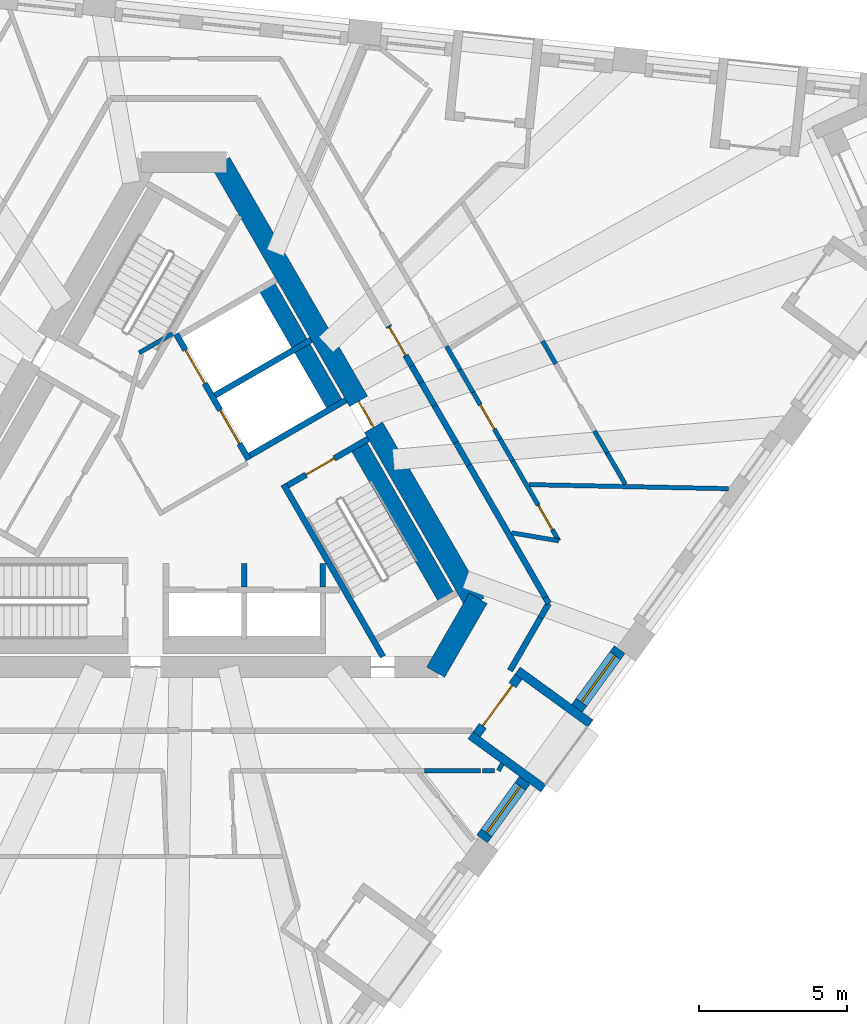
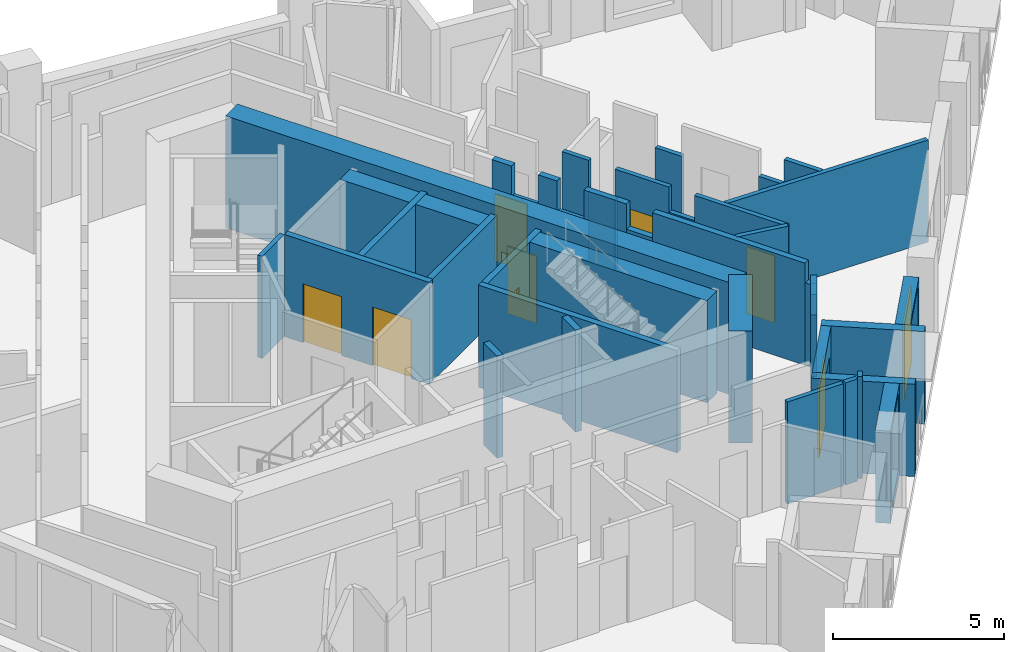
# One storey, part 5 of 11: 39 walls, 8 doors, 2 windows, 10 openings.
"""IFC4 building model written with IfcOpenShell, lengths in metres."""

from ifc_helpers import new_model, si_unit, direction, frame, frame_2d, origin, place, context, subcontext, project, spatial, polyline, rectangle, outline, extrude, material, layer, layer_set, type_object, element, fill, save


model = new_model("IFC4")

# Units and contexts
model_context = context("Model", 3, precision=1e-05, world=origin(), true_north=direction((0.0, 1.0)))
body_context = subcontext(model_context, "Body", "Model", "MODEL_VIEW")
ifc_project = project(units=[si_unit("LENGTHUNIT", "METRE"), si_unit("AREAUNIT", "SQUARE_METRE"), si_unit("VOLUMEUNIT", "CUBIC_METRE"), si_unit("PLANEANGLEUNIT", "RADIAN"), si_unit("MASSUNIT", "GRAM", prefix="KILO")], contexts=[model_context])

# Site, building, storey
site_placement = place(None, origin())
site = spatial("IfcSite", under=ifc_project, at=site_placement, CompositionType="ELEMENT")
building_placement = place(site_placement, origin())
building = spatial("IfcBuilding", under=site, at=building_placement, Name="Tramontana Tower", CompositionType="ELEMENT")
storey_placement = place(building_placement, frame((0.0, 0.0, 261.199951171875)))
storey = spatial("IfcBuildingStorey", under=building, at=storey_placement, Name="L61", CompositionType="ELEMENT", Elevation=261.199951171875)

# Wall
ifc_material_1 = material(Name="Concrete 70 MPa", Category="concrete")
ifc_layer_1 = layer(ifc_material_1, 0.699951171875)
ifc_layer_set_1 = layer_set([ifc_layer_1], Name="Core wall 700 70 MPa")
wall_type_1 = type_object("IfcWallType", Name="Core wall 700 70 MPa", PredefinedType="SHEAR", material=ifc_layer_set_1)
wall_1_placement = place(storey_placement, frame((8.50146484375, -6.574951171875, 0.0), z_axis=(0.0, 0.0, 1.0), x_axis=(0.499995765644, 0.866027848477, 0.0)))
element("IfcWall", 1, at=wall_1_placement, inside=storey, type_object=wall_type_1, Name="Core wall C4 L61", PredefinedType="SHEAR", context=body_context, shape_type="SweptSolid", body=[
    extrude(rectangle(XDim=2.88671875, YDim=0.699951171875, at=frame_2d((1.443359375, 0.0))), origin(), (0.0, 0.0, 1.0), 4.0),
])

# Wall, opening, door
wall_2_placement = place(storey_placement, frame((9.84375, -4.25, 0.0), z_axis=(0.0, 0.0, 1.0), x_axis=(-0.500003331888, 0.866023480109, 0.0)))
wall_2 = element("IfcWall", 2, at=wall_2_placement, inside=storey, type_object=wall_type_1, Name="Core wall C5 L61", PredefinedType="SHEAR", context=body_context, shape_type="SweptSolid", body=[
    extrude(rectangle(XDim=17.205078125, YDim=0.699951171875, at=frame_2d((8.6025390625, 0.0))), origin(), (0.0, 0.0, 1.0), 4.0),
])
opening_1_placement = place(wall_2_placement, frame((6.87744140625, 0.0, 0.0)))
opening_1 = element("IfcOpeningElement", 3, at=opening_1_placement, cuts=wall_2, Name="Opening RG3", PredefinedType="OPENING", context=body_context, shape_type="SweptSolid", body=[
    extrude(rectangle(XDim=1.0, YDim=2.39990234375, at=frame_2d((0.5, 1.199951171875))), frame((0.0, 0.35986328125, 0.0), z_axis=(0.0, -1.0, 0.0), x_axis=(1.0, 0.0, 0.0)), (0.0, 0.0, 1.0), 0.719970703125),
])
ifc_material_2 = material(Name="Painted steel", Category="steel")
door_type_1 = type_object("IfcDoorType", Name="RING DOOR 1000", OperationType="SINGLE_SWING_LEFT", PredefinedType="DOOR", material=ifc_material_2)
door_1_placement = place(opening_1_placement, origin())
door_1 = element("IfcDoor", 4, at=door_1_placement, inside=storey, type_object=door_type_1, Name="Door RG3", OperationType="SINGLE_SWING_RIGHT", OverallHeight=2.39990234375, OverallWidth=1.0, PredefinedType="DOOR", context=body_context, shape_type="SweptSolid", body=[
    extrude(rectangle(XDim=1.0, YDim=2.39990234375, at=frame_2d((0.5, 1.199951171875))), frame((0.0, 0.02490234375, 0.0), z_axis=(0.0, -1.0, 0.0), x_axis=(1.0, 0.0, 0.0)), (0.0, 0.0, 1.0), 0.050048828125),
])
fill(opening_1, door_1)

# Walls
ifc_material_3 = material(Name="Blockwork", Category="masonry")
ifc_layer_2 = layer(ifc_material_3, 0.199951171875)
ifc_layer_set_2 = layer_set([ifc_layer_2], Name="ENTRY WALL 200")
wall_type_2 = type_object("IfcWallType", Name="ENTRY WALL 200", PredefinedType="SOLIDWALL", material=ifc_layer_set_2)
wall_3_placement = place(storey_placement, frame((12.326416015625, -4.25, 0.0), z_axis=(0.0, 0.0, 1.0), x_axis=(-0.500000383388, -0.866025182435, 0.0)))
element("IfcWall", 5, at=wall_3_placement, inside=storey, type_object=wall_type_2, Name="Wall v62-ew0-0", PredefinedType="SOLIDWALL", context=body_context, shape_type="SweptSolid", body=[
    extrude(rectangle(XDim=0.5576171875, YDim=0.199951171875, at=frame_2d((0.27880859375, 0.0))), origin(), (0.0, 0.0, 1.0), 2.949951171875),
])
wall_4_placement = place(storey_placement, frame((12.047607421875, -4.73291015625, 0.0), z_axis=(0.0, 0.0, 1.0), x_axis=(-0.499958106649, -0.866049589571, 0.0)))
element("IfcWall", 6, at=wall_4_placement, inside=storey, type_object=wall_type_2, Name="Wall v62-ew0-1", PredefinedType="SOLIDWALL", context=body_context, shape_type="SweptSolid", body=[
    extrude(rectangle(XDim=2.062744140625, YDim=0.199951171875, at=frame_2d((1.03125, 0.0))), origin(), (0.0, 0.0, 1.0), 3.650146484375),
])

# Wall, opening, door
wall_5_placement = place(storey_placement, frame((6.914306640625, 5.124267578125, 0.0), z_axis=(0.0, 0.0, 1.0), x_axis=(0.499861922145, -0.866105108396, 0.0)))
wall_5 = element("IfcWall", 7, at=wall_5_placement, inside=storey, type_object=wall_type_2, Name="Wall v62-ew5-5", PredefinedType="SOLIDWALL", context=body_context, shape_type="SweptSolid", body=[
    extrude(outline(polyline([(0.0, 0.0), (1.56591796875, 0.0), (1.56591796875, 2.550048828125), (0.665771484375, 2.550048828125), (0.665771484375, 3.650146484375), (0.0, 3.650146484375), (0.0, 0.0)])), frame((0.0, 0.10009765625, 0.0), z_axis=(0.0, -1.0, 0.0), x_axis=(1.0, 0.0, 0.0)), (0.0, 0.0, 1.0), 0.199951171875),
])
opening_2_placement = place(wall_5_placement, frame((0.050048828125, 0.0, 0.0)))
opening_2 = element("IfcOpeningElement", 8, at=opening_2_placement, cuts=wall_5, Name="Opening B6C-20", PredefinedType="OPENING", context=body_context, shape_type="SweptSolid", body=[
    extrude(rectangle(XDim=1.10009765625, YDim=2.39990234375, at=frame_2d((0.550048828125, 1.199951171875))), frame((0.0, 0.10986328125, 0.0), z_axis=(0.0, -1.0, 0.0), x_axis=(1.0, 0.0, 0.0)), (0.0, 0.0, 1.0), 0.219970703125),
])
ifc_material_4 = material(Name="Painted timber", Category="wood")
door_type_2 = type_object("IfcDoorType", Name="DOOR ENTRY 1100", OperationType="SINGLE_SWING_LEFT", PredefinedType="DOOR", material=ifc_material_4)
door_2_placement = place(opening_2_placement, origin())
door_2 = element("IfcDoor", 9, at=door_2_placement, inside=storey, type_object=door_type_2, Name="Door B6C-20", OperationType="SINGLE_SWING_RIGHT", OverallHeight=2.39990234375, OverallWidth=1.10009765625, PredefinedType="DOOR", context=body_context, shape_type="SweptSolid", body=[
    extrude(rectangle(XDim=1.10009765625, YDim=2.39990234375, at=frame_2d((0.550048828125, 1.199951171875))), frame((0.0, 0.02490234375, 0.0), z_axis=(0.0, -1.0, 0.0), x_axis=(1.0, 0.0, 0.0)), (0.0, 0.0, 1.0), 0.050048828125),
])
fill(opening_2, door_2)

# Walls
wall_6_placement = place(storey_placement, frame((7.697021484375, 3.76806640625, 0.0), z_axis=(0.0, 0.0, 1.0), x_axis=(0.50012328804, -0.865954211699, 0.0)))
element("IfcWall", 10, at=wall_6_placement, inside=storey, type_object=wall_type_2, Name="Wall v62-ew5-6", PredefinedType="SOLIDWALL", context=body_context, shape_type="SweptSolid", body=[
    extrude(rectangle(XDim=0.632568359375, YDim=0.199951171875, at=frame_2d((0.31640625, 0.0))), origin(), (0.0, 0.0, 1.0), 3.650146484375),
])
wall_7_placement = place(storey_placement, frame((8.013427734375, 3.22021484375, 0.0), z_axis=(0.0, 0.0, 1.0), x_axis=(0.500175591747, -0.865924002104, 0.0)))
element("IfcWall", 11, at=wall_7_placement, inside=storey, type_object=wall_type_2, Name="Wall v62-ew5-7", PredefinedType="SOLIDWALL", context=body_context, shape_type="SweptSolid", body=[
    extrude(rectangle(XDim=0.917236328125, YDim=0.199951171875, at=frame_2d((0.45849609375, 0.0))), origin(), (0.0, 0.0, 1.0), 2.550048828125),
])
wall_8_placement = place(storey_placement, frame((8.47216796875, 2.426025390625, 0.0), z_axis=(0.0, 0.0, 1.0), x_axis=(0.499904796234, -0.866080362727, 0.0)))
element("IfcWall", 12, at=wall_8_placement, inside=storey, type_object=wall_type_2, Name="Wall v62-ew5-8", PredefinedType="SOLIDWALL", context=body_context, shape_type="SweptSolid", body=[
    extrude(rectangle(XDim=1.429443359375, YDim=0.199951171875, at=frame_2d((0.71484375, 0.0))), origin(), (0.0, 0.0, 1.0), 3.650146484375),
])
wall_9_placement = place(storey_placement, frame((9.186767578125, 1.18798828125, 0.0), z_axis=(0.0, 0.0, 1.0), x_axis=(0.500121072013, -0.86595549154, 0.0)))
element("IfcWall", 13, at=wall_9_placement, inside=storey, type_object=wall_type_2, Name="Wall v62-ew5-9", PredefinedType="SOLIDWALL", context=body_context, shape_type="SweptSolid", body=[
    extrude(rectangle(XDim=0.883544921875, YDim=0.199951171875, at=frame_2d((0.44189453125, 0.0))), origin(), (0.0, 0.0, 1.0), 2.75),
])
wall_10_placement = place(storey_placement, frame((9.628662109375, 0.4228515625, 0.0), z_axis=(0.0, 0.0, 1.0), x_axis=(0.499995433041, -0.866028040503, 0.0)))
element("IfcWall", 14, at=wall_10_placement, inside=storey, type_object=wall_type_2, Name="Wall v62-ew5-10", PredefinedType="SOLIDWALL", context=body_context, shape_type="SweptSolid", body=[
    extrude(rectangle(XDim=5.1611328125, YDim=0.199951171875, at=frame_2d((2.58056640625, 0.0))), origin(), (0.0, 0.0, 1.0), 3.650146484375),
])
wall_11_placement = place(storey_placement, frame((12.209228515625, -4.046875, 0.0), z_axis=(0.0, 0.0, 1.0), x_axis=(0.49972245349, -0.866185586049, 0.0)))
element("IfcWall", 15, at=wall_11_placement, inside=storey, type_object=wall_type_2, Name="Wall v62-ew5-11", PredefinedType="SOLIDWALL", context=body_context, shape_type="SweptSolid", body=[
    extrude(rectangle(XDim=0.234619140625, YDim=0.199951171875, at=frame_2d((0.1171875, 0.0))), origin(), (0.0, 0.0, 1.0), 2.949951171875),
])

# Wall, opening, window
ifc_material_5 = material(Name="Precast concrete 60 MPa", Category="concrete")
ifc_layer_3 = layer(ifc_material_5, 0.449951171875)
ifc_layer_set_3 = layer_set([ifc_layer_3], Name="Precast concrete 60 MPa, 450 mm")
wall_type_3 = type_object("IfcWallType", Name="EW1 Stone-faced precast wall 450", PredefinedType="SOLIDWALL", material=ifc_layer_set_3)
wall_12_placement = place(storey_placement, frame((10.074462890625, -12.2060546875, 0.0), z_axis=(0.0, 0.0, 1.0), x_axis=(0.587792773076, 0.809011530152, 0.0)))
wall_12 = element("IfcWall", 16, at=wall_12_placement, inside=storey, type_object=wall_type_3, Name="External wall L61 face 1 bay 3", PredefinedType="SOLIDWALL", context=body_context, shape_type="SweptSolid", body=[
    extrude(rectangle(XDim=2.4521484375, YDim=0.449951171875, at=frame_2d((1.22607421875, 0.0))), origin(), (0.0, 0.0, 1.0), 3.300048828125),
])
opening_3_placement = place(wall_12_placement, frame((0.251220703125, 0.0, 0.39990234375)))
opening_3 = element("IfcOpeningElement", 17, at=opening_3_placement, cuts=wall_12, Name="Opening M3", PredefinedType="OPENING", context=body_context, shape_type="SweptSolid", body=[
    extrude(rectangle(XDim=1.949951171875, YDim=2.75, at=frame_2d((0.97509765625, 1.375))), frame((0.0, 0.23486328125, 0.0), z_axis=(0.0, -1.0, 0.0), x_axis=(1.0, 0.0, 0.0)), (0.0, 0.0, 1.0), 0.469970703125),
])
ifc_material_6 = material(Name="Aluminum frame, double glazing unit", Category="aluminium")
window_type = type_object("IfcWindowType", Name="M3 Window 1.95 x 2.75", PartitioningType="SINGLE_PANEL", PredefinedType="WINDOW", material=ifc_material_6)
window_1_placement = place(opening_3_placement, origin())
window_1 = element("IfcWindow", 18, at=window_1_placement, inside=storey, type_object=window_type, Name="Window M3 L61 face 1 module 7", OverallHeight=2.75, OverallWidth=1.949951171875, PartitioningType="SINGLE_PANEL", PredefinedType="WINDOW", context=body_context, shape_type="SweptSolid", body=[
    extrude(rectangle(XDim=1.949951171875, YDim=2.75, at=frame_2d((0.97509765625, 1.375))), frame((0.0, 0.030029296875, 0.0), z_axis=(0.0, -1.0, 0.0), x_axis=(1.0, 0.0, 0.0)), (0.0, 0.0, 1.0), 0.06005859375),
])
fill(opening_3, window_1)

wall_13_placement = place(storey_placement, frame((13.280517578125, -7.79345703125, 0.0), z_axis=(0.0, 0.0, 1.0), x_axis=(0.587792773076, 0.809011530152, 0.0)))
wall_13 = element("IfcWall", 19, at=wall_13_placement, inside=storey, type_object=wall_type_3, Name="External wall L61 face 1 bay 3", PredefinedType="SOLIDWALL", context=body_context, shape_type="SweptSolid", body=[
    extrude(rectangle(XDim=2.4521484375, YDim=0.449951171875, at=frame_2d((1.22607421875, 0.0))), origin(), (0.0, 0.0, 1.0), 3.300048828125),
])
opening_4_placement = place(wall_13_placement, frame((0.251220703125, 0.0, 0.39990234375)))
opening_4 = element("IfcOpeningElement", 20, at=opening_4_placement, cuts=wall_13, Name="Opening M3", PredefinedType="OPENING", context=body_context, shape_type="SweptSolid", body=[
    extrude(rectangle(XDim=1.949951171875, YDim=2.75, at=frame_2d((0.97509765625, 1.375))), frame((0.0, 0.23486328125, 0.0), z_axis=(0.0, -1.0, 0.0), x_axis=(1.0, 0.0, 0.0)), (0.0, 0.0, 1.0), 0.469970703125),
])
window_2_placement = place(opening_4_placement, origin())
window_2 = element("IfcWindow", 21, at=window_2_placement, inside=storey, type_object=window_type, Name="Window M3 L61 face 1 module 9", OverallHeight=2.75, OverallWidth=1.949951171875, PartitioningType="SINGLE_PANEL", PredefinedType="WINDOW", context=body_context, shape_type="SweptSolid", body=[
    extrude(rectangle(XDim=1.949951171875, YDim=2.75, at=frame_2d((0.97509765625, 1.375))), frame((0.0, 0.030029296875, 0.0), z_axis=(0.0, -1.0, 0.0), x_axis=(1.0, 0.0, 0.0)), (0.0, 0.0, 1.0), 0.06005859375),
])
fill(opening_4, window_2)

# Wall, opening, door
ifc_material_7 = material(Name="Precast concrete 60 MPa", Category="concrete")
ifc_layer_4 = layer(ifc_material_7, 0.300048828125)
ifc_layer_set_4 = layer_set([ifc_layer_4], Name="LW1 Stone-faced loggia wall 300")
wall_type_4 = type_object("IfcWallType", Name="LW1 Stone-faced loggia wall 300", PredefinedType="SOLIDWALL", material=ifc_layer_set_4)
wall_14_placement = place(storey_placement, frame((9.89208984375, -8.671630859375, 0.0), z_axis=(0.0, 0.0, 1.0), x_axis=(0.587833242688, 0.808982125137, 0.0)))
wall_14 = element("IfcWall", 22, at=wall_14_placement, inside=storey, type_object=wall_type_4, Name="Loggia wall L61 G6S1.7", PredefinedType="SOLIDWALL", context=body_context, shape_type="SweptSolid", body=[
    extrude(rectangle(XDim=2.40234375, YDim=0.300048828125, at=frame_2d((1.201171875, 0.0))), origin(), (0.0, 0.0, 1.0), 3.300048828125),
])
opening_5_placement = place(wall_14_placement, frame((0.35107421875, 0.0, 0.0)))
opening_5 = element("IfcOpeningElement", 23, at=opening_5_placement, cuts=wall_14, Name="Opening BD-6S1-07", PredefinedType="OPENING", context=body_context, shape_type="SweptSolid", body=[
    extrude(rectangle(XDim=1.699951171875, YDim=2.5, at=frame_2d((0.85009765625, 1.25))), frame((0.0, 0.159912109375, 0.0), z_axis=(0.0, -1.0, 0.0), x_axis=(1.0, 0.0, 0.0)), (0.0, 0.0, 1.0), 0.320068359375),
])
ifc_material_8 = material(Name="Aluminum frame, double glazing unit", Category="aluminium")
door_type_3 = type_object("IfcDoorType", Name="BD3 Sliding door 1.7 x 2.5", OperationType="SLIDING_TO_LEFT", PredefinedType="DOOR", material=ifc_material_8)
door_3_placement = place(opening_5_placement, origin())
door_3 = element("IfcDoor", 24, at=door_3_placement, inside=storey, type_object=door_type_3, Name="Loggia door L61 G6S1.7", OperationType="SLIDING_TO_LEFT", OverallHeight=2.5, OverallWidth=1.699951171875, PredefinedType="DOOR", context=body_context, shape_type="SweptSolid", body=[
    extrude(rectangle(XDim=1.699951171875, YDim=2.5, at=frame_2d((0.85009765625, 1.25))), frame((0.0, 0.02490234375, 0.0), z_axis=(0.0, -1.0, 0.0), x_axis=(1.0, 0.0, 0.0)), (0.0, 0.0, 1.0), 0.050048828125),
])
fill(opening_5, door_3)

# Walls
for number, where, z_axis, x_axis, name in (
    (25, (12.150146484375, -10.49755859375, 0.0), (0.0, 0.0, 1.0), (-0.80902328748, 0.587776590479, 0.0), "Loggia return L61 G6S1.7a"),
    (26, (13.738525390625, -8.3115234375, 0.0), (0.0, 0.0, 1.0), (-0.80902328748, 0.587776590479, 0.0), "Loggia return L61 G6S1.7b"),
):
    element("IfcWall", number, at=place(storey_placement, frame(where, z_axis=z_axis, x_axis=x_axis)), inside=storey, type_object=wall_type_4, Name=name, PredefinedType="SOLIDWALL", context=body_context, shape_type="SweptSolid", body=[
        extrude(rectangle(XDim=3.050048828125, YDim=0.300048828125, at=frame_2d((1.52490234375, 0.0))), origin(), (0.0, 0.0, 1.0), 3.300048828125),
    ])
ifc_material_9 = material(Name="Gypsum board partition")
ifc_layer_5 = layer(ifc_material_9, 0.14990234375)
ifc_layer_set_5 = layer_set([ifc_layer_5], Name="PARTITION 150")
wall_type_5 = type_object("IfcWallType", Name="PARTITION 150", PredefinedType="PARTITIONING", material=ifc_layer_set_5)
wall_15_placement = place(storey_placement, frame((-1.509765625, 4.21484375, 0.0), z_axis=(0.0, 0.0, 1.0), x_axis=(0.866085525409, 0.49989585183, 0.0)))
element("IfcWall", 27, at=wall_15_placement, inside=storey, type_object=wall_type_5, Name="Wall ff-end1", PredefinedType="PARTITIONING", context=body_context, shape_type="SweptSolid", body=[
    extrude(rectangle(XDim=1.300048828125, YDim=0.14990234375, at=frame_2d((0.64990234375, 0.0))), origin(), (0.0, 0.0, 1.0), 3.650146484375),
])
wall_16_placement = place(storey_placement, frame((8.87060546875, 4.435546875, 0.0), z_axis=(0.0, 0.0, 1.0), x_axis=(0.50004290449, -0.866000631449, 0.0)))
element("IfcWall", 28, at=wall_16_placement, inside=storey, type_object=wall_type_5, Name="Wall v62-pw15-6", PredefinedType="PARTITIONING", context=body_context, shape_type="SweptSolid", body=[
    extrude(rectangle(XDim=0.9013671875, YDim=0.14990234375, at=frame_2d((0.45068359375, 0.0))), origin(), (0.0, 0.0, 1.0), 3.650146484375),
])
wall_17_placement = place(storey_placement, frame((9.3212890625, 3.655029296875, 0.0), z_axis=(0.0, 0.0, 1.0), x_axis=(0.499967368674, -0.86604424267, 0.0)))
element("IfcWall", 29, at=wall_17_placement, inside=storey, type_object=wall_type_5, Name="Wall v62-pw15-7", PredefinedType="PARTITIONING", context=body_context, shape_type="SweptSolid", body=[
    extrude(rectangle(XDim=0.8916015625, YDim=0.14990234375, at=frame_2d((0.44580078125, 0.0))), origin(), (0.0, 0.0, 1.0), 2.550048828125),
])

# Wall, opening, door
wall_18_placement = place(storey_placement, frame((9.76708984375, 2.8828125, 0.0), z_axis=(0.0, 0.0, 1.0), x_axis=(0.500054584563, -0.865993887078, 0.0)))
wall_18 = element("IfcWall", 30, at=wall_18_placement, inside=storey, type_object=wall_type_5, Name="Wall v62-pw15-8", PredefinedType="PARTITIONING", context=body_context, shape_type="SweptSolid", body=[
    extrude(rectangle(XDim=1.823974609375, YDim=0.14990234375, at=frame_2d((0.912109375, 0.0))), origin(), (0.0, 0.0, 1.0), 3.650146484375),
])
opening_6_placement = place(wall_18_placement, frame((0.4873046875, 0.0, 0.0)))
opening_6 = element("IfcOpeningElement", 31, at=opening_6_placement, cuts=wall_18, Name="Opening B6C-11", PredefinedType="OPENING", context=body_context, shape_type="SweptSolid", body=[
    extrude(rectangle(XDim=0.949951171875, YDim=2.39990234375, at=frame_2d((0.47509765625, 1.199951171875))), frame((0.0, 0.0849609375, 0.0), z_axis=(0.0, -1.0, 0.0), x_axis=(1.0, 0.0, 0.0)), (0.0, 0.0, 1.0), 0.169921875),
])
ifc_material_10 = material(Name="Painted timber", Category="wood")
door_type_4 = type_object("IfcDoorType", Name="DOOR ROOM 950", OperationType="SINGLE_SWING_LEFT", PredefinedType="DOOR", material=ifc_material_10)
door_4_placement = place(opening_6_placement, origin())
door_4 = element("IfcDoor", 32, at=door_4_placement, inside=storey, type_object=door_type_4, Name="Door B6C-11", OperationType="SINGLE_SWING_LEFT", OverallHeight=2.39990234375, OverallWidth=0.949951171875, PredefinedType="DOOR", context=body_context, shape_type="SweptSolid", body=[
    extrude(rectangle(XDim=0.949951171875, YDim=2.39990234375, at=frame_2d((0.47509765625, 1.199951171875))), frame((0.0, 0.02490234375, 0.0), z_axis=(0.0, -1.0, 0.0), x_axis=(1.0, 0.0, 0.0)), (0.0, 0.0, 1.0), 0.050048828125),
])
fill(opening_6, door_4)

# Wall
wall_19_placement = place(storey_placement, frame((10.67919921875, 1.30322265625, 0.0), z_axis=(0.0, 0.0, 1.0), x_axis=(0.500035209441, -0.86600507465, 0.0)))
element("IfcWall", 33, at=wall_19_placement, inside=storey, type_object=wall_type_5, Name="Wall v62-pw15-9", PredefinedType="PARTITIONING", context=body_context, shape_type="SweptSolid", body=[
    extrude(rectangle(XDim=0.85595703125, YDim=0.14990234375, at=frame_2d((0.427978515625, 0.0))), origin(), (0.0, 0.0, 1.0), 2.75),
])

# Wall, opening, door
wall_20_placement = place(storey_placement, frame((11.107177734375, 0.56201171875, 0.0), z_axis=(0.0, 0.0, 1.0), x_axis=(0.499966736674, -0.866044607523, 0.0)))
wall_20 = element("IfcWall", 34, at=wall_20_placement, inside=storey, type_object=wall_type_5, Name="Wall v62-pw15-10", PredefinedType="PARTITIONING", context=body_context, shape_type="SweptSolid", body=[
    extrude(rectangle(XDim=3.114501953125, YDim=0.14990234375, at=frame_2d((1.55712890625, 0.0))), origin(), (0.0, 0.0, 1.0), 3.650146484375),
])
opening_7_placement = place(wall_20_placement, frame((1.72998046875, 0.0, 0.0)))
opening_7 = element("IfcOpeningElement", 35, at=opening_7_placement, cuts=wall_20, Name="Opening B6C-13", PredefinedType="OPENING", context=body_context, shape_type="SweptSolid", body=[
    extrude(rectangle(XDim=0.949951171875, YDim=2.39990234375, at=frame_2d((0.47509765625, 1.199951171875))), frame((0.0, 0.0849609375, 0.0), z_axis=(0.0, -1.0, 0.0), x_axis=(1.0, 0.0, 0.0)), (0.0, 0.0, 1.0), 0.169921875),
])
door_5_placement = place(opening_7_placement, origin())
door_5 = element("IfcDoor", 36, at=door_5_placement, inside=storey, type_object=door_type_4, Name="Door B6C-13", OperationType="SINGLE_SWING_LEFT", OverallHeight=2.39990234375, OverallWidth=0.949951171875, PredefinedType="DOOR", context=body_context, shape_type="SweptSolid", body=[
    extrude(rectangle(XDim=0.949951171875, YDim=2.39990234375, at=frame_2d((0.47509765625, 1.199951171875))), frame((0.0, 0.02490234375, 0.0), z_axis=(0.0, -1.0, 0.0), x_axis=(1.0, 0.0, 0.0)), (0.0, 0.0, 1.0), 0.050048828125),
])
fill(opening_7, door_5)

# Walls
wall_21_placement = place(storey_placement, frame((12.1171875, 4.612548828125, 0.0), z_axis=(0.0, 0.0, 1.0), x_axis=(0.499967368674, -0.86604424267, 0.0)))
element("IfcWall", 37, at=wall_21_placement, inside=storey, type_object=wall_type_5, Name="Wall v62-pw27-4", PredefinedType="PARTITIONING", context=body_context, shape_type="SweptSolid", body=[
    extrude(rectangle(XDim=0.8916015625, YDim=0.14990234375, at=frame_2d((0.44580078125, 0.0))), origin(), (0.0, 0.0, 1.0), 2.550048828125),
])
wall_22_placement = place(storey_placement, frame((13.8701171875, 1.576416015625, 0.0), z_axis=(0.0, 0.0, 1.0), x_axis=(0.499821239653, -0.866128586522, 0.0)))
element("IfcWall", 38, at=wall_22_placement, inside=storey, type_object=wall_type_5, Name="Wall v62-pw27-6", PredefinedType="PARTITIONING", context=body_context, shape_type="SweptSolid", body=[
    extrude(rectangle(XDim=0.855712890625, YDim=0.14990234375, at=frame_2d((0.427734375, 0.0))), origin(), (0.0, 0.0, 1.0), 2.75),
])
wall_23_placement = place(storey_placement, frame((14.2978515625, 0.835205078125, 0.0), z_axis=(0.0, 0.0, 1.0), x_axis=(0.500072277755, -0.865983670182, 0.0)))
element("IfcWall", 39, at=wall_23_placement, inside=storey, type_object=wall_type_5, Name="Wall v62-pw27-7", PredefinedType="PARTITIONING", context=body_context, shape_type="SweptSolid", body=[
    extrude(rectangle(XDim=1.228271484375, YDim=0.14990234375, at=frame_2d((0.6142578125, 0.0))), origin(), (0.0, 0.0, 1.0), 3.650146484375),
])
wall_24_placement = place(storey_placement, frame((10.0224609375, -9.89990234375, 0.0), z_axis=(0.0, 0.0, 1.0), x_axis=(-1.0, 0.0, 0.0)))
element("IfcWall", 40, at=wall_24_placement, inside=storey, type_object=wall_type_5, Name="Wall v62-pw29-0", PredefinedType="PARTITIONING", context=body_context, shape_type="SweptSolid", body=[
    extrude(rectangle(XDim=1.888427734375, YDim=0.14990234375, at=frame_2d((0.9443359375, 0.0))), origin(), (0.0, 0.0, 1.0), 3.650146484375),
])
wall_25_placement = place(storey_placement, frame((10.09228515625, -9.89990234375, 0.0), z_axis=(0.0, 0.0, 1.0), x_axis=(1.0, 0.0, 0.0)))
element("IfcWall", 41, at=wall_25_placement, inside=storey, type_object=wall_type_5, Name="Wall v62-pw30", PredefinedType="PARTITIONING", context=body_context, shape_type="SweptSolid", body=[
    extrude(rectangle(XDim=0.406982421875, YDim=0.14990234375, at=frame_2d((0.20361328125, 0.0))), origin(), (0.0, 0.0, 1.0), 3.650146484375),
])
wall_26_placement = place(storey_placement, frame((10.755859375, -9.670166015625, 0.0), z_axis=(0.0, 0.0, 1.0), x_axis=(-0.499802134818, -0.866139611167, 0.0)))
element("IfcWall", 42, at=wall_26_placement, inside=storey, type_object=wall_type_5, Name="Wall v62-pw32", PredefinedType="PARTITIONING", context=body_context, shape_type="SweptSolid", body=[
    extrude(rectangle(XDim=0.26513671875, YDim=0.14990234375, at=frame_2d((0.132568359375, 0.0))), origin(), (0.0, 0.0, 1.0), 3.650146484375),
])
wall_27_placement = place(storey_placement, frame((12.664306640625, -2.13525390625, 0.0), z_axis=(0.0, 0.0, 1.0), x_axis=(-0.986070057332, 0.166330520452, 0.0)))
element("IfcWall", 43, at=wall_27_placement, inside=storey, type_object=wall_type_5, Name="Wall v62-pw35", PredefinedType="PARTITIONING", context=body_context, shape_type="SweptSolid", body=[
    extrude(rectangle(XDim=1.618896484375, YDim=0.14990234375, at=frame_2d((0.8095703125, 0.0))), origin(), (0.0, 0.0, 1.0), 3.650146484375),
])
wall_28_placement = place(storey_placement, frame((18.392333984375, -0.37451171875, 0.0), z_axis=(0.0, 0.0, 1.0), x_axis=(-0.999792677344, 0.020361786, 0.0)))
element("IfcWall", 44, at=wall_28_placement, inside=storey, type_object=wall_type_5, Name="Wall v62-pw36", PredefinedType="PARTITIONING", context=body_context, shape_type="SweptSolid", body=[
    extrude(rectangle(XDim=6.738525390625, YDim=0.14990234375, at=frame_2d((3.369140625, 0.0))), origin(), (0.0, 0.0, 1.0), 3.650146484375),
])
ifc_material_11 = material(Name="Concrete 70 MPa", Category="concrete")
ifc_layer_6 = layer(ifc_material_11, 0.60009765625)
ifc_layer_set_6 = layer_set([ifc_layer_6], Name="Concrete 70 MPa, 600 mm")
wall_type_6 = type_object("IfcWallType", Name="RC SHAFT BACK WALL 600", PredefinedType="SOLIDWALL", material=ifc_layer_set_6)
wall_29_placement = place(storey_placement, frame((8.93310546875, -4.17236328125, 0.0), z_axis=(0.0, 0.0, 1.0), x_axis=(-0.500026960575, 0.86600983753, 0.0)))
element("IfcWall", 45, at=wall_29_placement, inside=storey, type_object=wall_type_6, Name="Wall st3-back", PredefinedType="SOLIDWALL", context=body_context, shape_type="SweptSolid", body=[
    extrude(rectangle(XDim=6.199951171875, YDim=0.60009765625, at=frame_2d((3.10009765625, 0.0))), origin(), (0.0, 0.0, 1.0), 3.650146484375),
])
wall_30_placement = place(storey_placement, frame((5.177978515625, 2.331298828125, 0.0), z_axis=(0.0, 0.0, 1.0), x_axis=(-0.49998122708, 0.866036242063, 0.0)))
element("IfcWall", 46, at=wall_30_placement, inside=storey, type_object=wall_type_6, Name="Wall row2-back", PredefinedType="SOLIDWALL", context=body_context, shape_type="SweptSolid", body=[
    extrude(rectangle(XDim=4.900146484375, YDim=0.60009765625, at=frame_2d((2.4501953125, 0.0))), origin(), (0.0, 0.0, 1.0), 3.650146484375),
])
ifc_material_12 = material(Name="Concrete 70 MPa", Category="concrete")
ifc_layer_7 = layer(ifc_material_12, 0.199951171875)
ifc_layer_set_7 = layer_set([ifc_layer_7], Name="Concrete 70 MPa, 200 mm")
wall_type_7 = type_object("IfcWallType", Name="RC STAIR AND SHAFT WALL 200", PredefinedType="SOLIDWALL", material=ifc_layer_set_7)
wall_31_placement = place(storey_placement, frame((6.72607421875, -6.050048828125, 0.0), z_axis=(0.0, 0.0, 1.0), x_axis=(-0.499970804718, 0.866042259032, 0.0)))
element("IfcWall", 47, at=wall_31_placement, inside=storey, type_object=wall_type_7, Name="Wall st3-front", PredefinedType="SOLIDWALL", context=body_context, shape_type="SweptSolid", body=[
    extrude(rectangle(XDim=6.72265625, YDim=0.199951171875, at=frame_2d((3.361328125, 0.0))), origin(), (0.0, 0.0, 1.0), 3.650146484375),
])

# Wall, opening, door
wall_32_placement = place(storey_placement, frame((3.50146484375, -0.2646484375, 0.0), z_axis=(0.0, 0.0, 1.0), x_axis=(0.866035871367, 0.499981869177, 0.0)))
wall_32 = element("IfcWall", 48, at=wall_32_placement, inside=storey, type_object=wall_type_7, Name="Wall st3-near", PredefinedType="SOLIDWALL", context=body_context, shape_type="SweptSolid", body=[
    extrude(rectangle(XDim=3.14990234375, YDim=0.199951171875, at=frame_2d((1.574951171875, 0.0))), origin(), (0.0, 0.0, 1.0), 3.650146484375),
])
opening_8_placement = place(wall_32_placement, frame((0.72509765625, 0.0, 0.0)))
opening_8 = element("IfcOpeningElement", 49, at=opening_8_placement, cuts=wall_32, Name="Opening SD3", PredefinedType="OPENING", context=body_context, shape_type="SweptSolid", body=[
    extrude(rectangle(XDim=1.10009765625, YDim=2.39990234375, at=frame_2d((0.550048828125, 1.199951171875))), frame((0.0, 0.10986328125, 0.0), z_axis=(0.0, -1.0, 0.0), x_axis=(1.0, 0.0, 0.0)), (0.0, 0.0, 1.0), 0.219970703125),
])
ifc_material_13 = material(Name="Painted steel", Category="steel")
door_type_5 = type_object("IfcDoorType", Name="STAIR DOOR 1100", OperationType="SINGLE_SWING_LEFT", PredefinedType="DOOR", material=ifc_material_13)
door_6_placement = place(opening_8_placement, origin())
door_6 = element("IfcDoor", 50, at=door_6_placement, inside=storey, type_object=door_type_5, Name="Door SD3", OperationType="SINGLE_SWING_RIGHT", OverallHeight=2.39990234375, OverallWidth=1.10009765625, PredefinedType="DOOR", context=body_context, shape_type="SweptSolid", body=[
    extrude(rectangle(XDim=1.10009765625, YDim=2.39990234375, at=frame_2d((0.550048828125, 1.199951171875))), frame((0.0, 0.02490234375, 0.0), z_axis=(0.0, -1.0, 0.0), x_axis=(1.0, 0.0, 0.0)), (0.0, 0.0, 1.0), 0.050048828125),
])
fill(opening_8, door_6)

# Walls
for number, where, z_axis, x_axis, name in (
    (51, (2.0400390625, -2.89990234375, 0.0), (0.0, 0.0, 1.0), (0.0, -1.0, 0.0), "Wall row1-side1-ret"),
    (52, (4.68994140625, -2.89990234375, 0.0), (0.0, 0.0, 1.0), (0.0, -1.0, 0.0), "Wall row1-side2-ret"),
):
    element("IfcWall", number, at=place(storey_placement, frame(where, z_axis=z_axis, x_axis=x_axis)), inside=storey, type_object=wall_type_7, Name=name, PredefinedType="SOLIDWALL", context=body_context, shape_type="SweptSolid", body=[
        extrude(rectangle(XDim=0.800048828125, YDim=0.199951171875, at=frame_2d((0.39990234375, 0.0))), origin(), (0.0, 0.0, 1.0), 3.650146484375),
    ])

# Wall, openings, doors
wall_33_placement = place(storey_placement, frame((2.190185546875, 0.6064453125, 0.0), z_axis=(0.0, 0.0, 1.0), x_axis=(-0.500002801628, 0.866023786258, 0.0)))
wall_33 = element("IfcWall", 53, at=wall_33_placement, inside=storey, type_object=wall_type_7, Name="Wall row2-front", PredefinedType="SOLIDWALL", context=body_context, shape_type="SweptSolid", body=[
    extrude(rectangle(XDim=4.89990234375, YDim=0.199951171875, at=frame_2d((2.449951171875, 0.0))), origin(), (0.0, 0.0, 1.0), 3.650146484375),
])
opening_9_placement = place(wall_33_placement, frame((0.625, 0.0, 0.0)))
opening_9 = element("IfcOpeningElement", 54, at=opening_9_placement, cuts=wall_33, Name="Opening LD-F1", PredefinedType="OPENING", context=body_context, shape_type="SweptSolid", body=[
    extrude(rectangle(XDim=1.300048828125, YDim=2.10009765625, at=frame_2d((0.64990234375, 1.050048828125))), frame((0.0, 0.10986328125, 0.0), z_axis=(0.0, -1.0, 0.0), x_axis=(1.0, 0.0, 0.0)), (0.0, 0.0, 1.0), 0.219970703125),
])
opening_10_placement = place(wall_33_placement, frame((2.97509765625, 0.0, 0.0)))
opening_10 = element("IfcOpeningElement", 55, at=opening_10_placement, cuts=wall_33, Name="Opening LD-F2", PredefinedType="OPENING", context=body_context, shape_type="SweptSolid", body=[
    extrude(rectangle(XDim=1.300048828125, YDim=2.10009765625, at=frame_2d((0.64990234375, 1.050048828125))), frame((0.0, 0.10986328125, 0.0), z_axis=(0.0, -1.0, 0.0), x_axis=(1.0, 0.0, 0.0)), (0.0, 0.0, 1.0), 0.219970703125),
])
ifc_material_14 = material(Name="Brushed steel", Category="steel")
door_type_6 = type_object("IfcDoorType", Name="LANDING DOOR 1300", OperationType="SINGLE_SWING_LEFT", PredefinedType="DOOR", material=ifc_material_14)
door_7_placement = place(opening_9_placement, origin())
door_7 = element("IfcDoor", 56, at=door_7_placement, inside=storey, type_object=door_type_6, Name="Door LD-F1", OperationType="SLIDING_TO_LEFT", OverallHeight=2.10009765625, OverallWidth=1.300048828125, PredefinedType="DOOR", context=body_context, shape_type="SweptSolid", body=[
    extrude(rectangle(XDim=1.300048828125, YDim=2.10009765625, at=frame_2d((0.64990234375, 1.050048828125))), frame((0.0, 0.02490234375, 0.0), z_axis=(0.0, -1.0, 0.0), x_axis=(1.0, 0.0, 0.0)), (0.0, 0.0, 1.0), 0.050048828125),
])
fill(opening_9, door_7)
door_8_placement = place(opening_10_placement, origin())
door_8 = element("IfcDoor", 57, at=door_8_placement, inside=storey, type_object=door_type_6, Name="Door LD-F2", OperationType="SLIDING_TO_RIGHT", OverallHeight=2.10009765625, OverallWidth=1.300048828125, PredefinedType="DOOR", context=body_context, shape_type="SweptSolid", body=[
    extrude(rectangle(XDim=1.300048828125, YDim=2.10009765625, at=frame_2d((0.64990234375, 1.050048828125))), frame((0.0, 0.02490234375, 0.0), z_axis=(0.0, -1.0, 0.0), x_axis=(1.0, 0.0, 0.0)), (0.0, 0.0, 1.0), 0.050048828125),
])
fill(opening_10, door_8)

# Walls
wall_34_placement = place(storey_placement, frame((2.226806640625, 0.742919921875, 0.0), z_axis=(0.0, 0.0, 1.0), x_axis=(0.866022959057, 0.500004234368, 0.0)))
element("IfcWall", 58, at=wall_34_placement, inside=storey, type_object=wall_type_7, Name="Wall row2-side0", PredefinedType="SOLIDWALL", context=body_context, shape_type="SweptSolid", body=[
    extrude(rectangle(XDim=3.75, YDim=0.199951171875, at=frame_2d((1.875, 0.0))), origin(), (0.0, 0.0, 1.0), 3.650146484375),
])
wall_35_placement = place(storey_placement, frame((1.0517578125, 2.778076171875, 0.0), z_axis=(0.0, 0.0, 1.0), x_axis=(0.866039234136, 0.499976044363, 0.0)))
element("IfcWall", 59, at=wall_35_placement, inside=storey, type_object=wall_type_7, Name="Wall row2-side1", PredefinedType="SOLIDWALL", context=body_context, shape_type="SweptSolid", body=[
    extrude(rectangle(XDim=3.750244140625, YDim=0.199951171875, at=frame_2d((1.875, 0.0))), origin(), (0.0, 0.0, 1.0), 3.650146484375),
])

save(model, "model.ifc")
